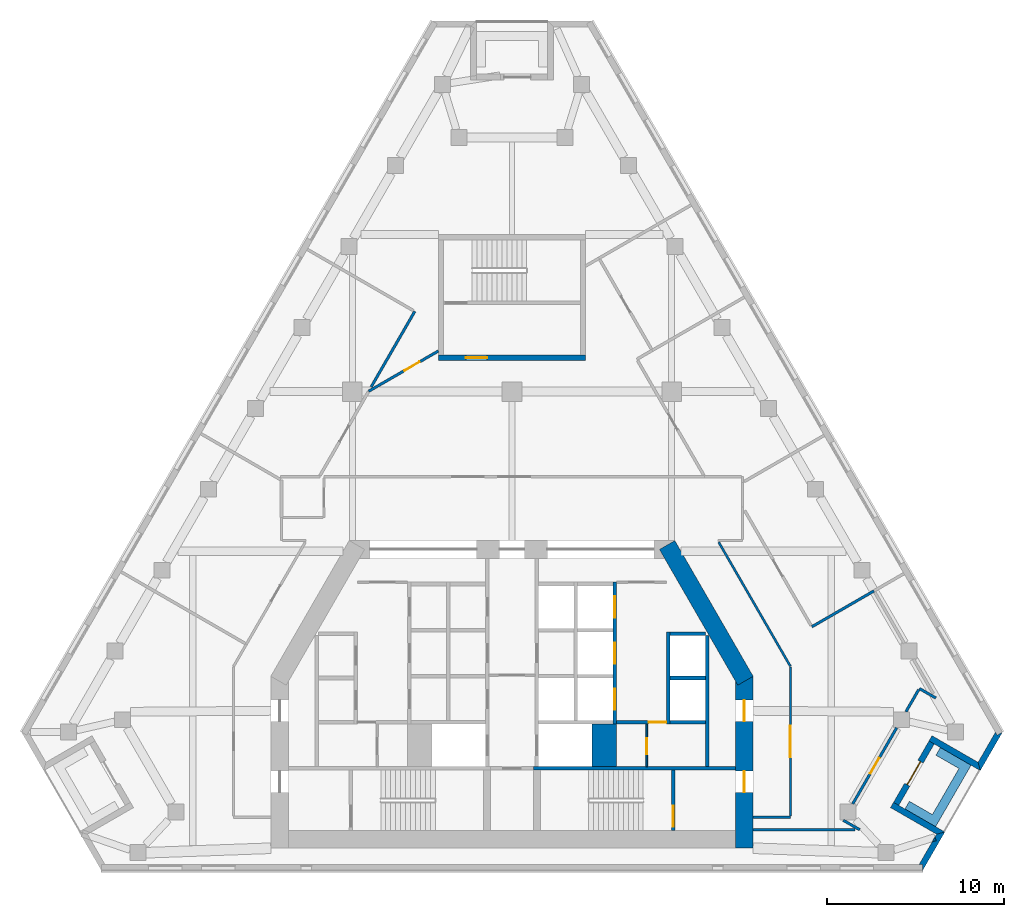
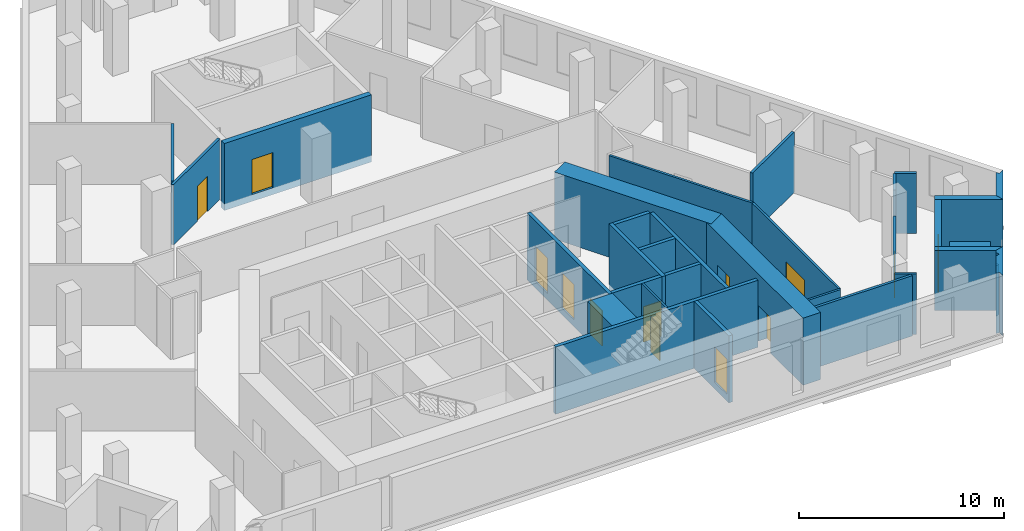
# One storey, part 6 of 9: 32 walls, 13 doors, 13 openings.
"""IFC4 building model written with IfcOpenShell, lengths in metres."""

from ifc_helpers import new_model, si_unit, direction, frame, frame_2d, origin, place, context, subcontext, project, spatial, polyline, rectangle, outline, extrude, material, layer, layer_set, type_object, element, fill, save


model = new_model("IFC4")

# Units and contexts
model_context = context("Model", 3, precision=1e-05, world=origin(), true_north=direction((0.0, 1.0)))
body_context = subcontext(model_context, "Body", "Model", "MODEL_VIEW")
ifc_project = project(units=[si_unit("LENGTHUNIT", "METRE"), si_unit("AREAUNIT", "SQUARE_METRE"), si_unit("VOLUMEUNIT", "CUBIC_METRE"), si_unit("PLANEANGLEUNIT", "RADIAN"), si_unit("MASSUNIT", "GRAM", prefix="KILO")], contexts=[model_context])

# Site, building, storey
site_placement = place(None, origin())
site = spatial("IfcSite", under=ifc_project, at=site_placement, CompositionType="ELEMENT")
building_placement = place(site_placement, origin())
building = spatial("IfcBuilding", under=site, at=building_placement, Name="Fogline Exchange Tower", CompositionType="ELEMENT")
storey_placement = place(building_placement, frame((0.0, 0.0, 194.10009765625)))
storey = spatial("IfcBuildingStorey", under=building, at=storey_placement, Name="L43", CompositionType="ELEMENT", Elevation=194.10009765625)

# Wall, opening, door
ifc_material_1 = material(Name="Blockwork partition", Category="masonry")
ifc_layer_1 = layer(ifc_material_1, 0.10009765625)
ifc_layer_set_1 = layer_set([ifc_layer_1], Name="CW10")
wall_type_1 = type_object("IfcWallType", Name="CW10", PredefinedType="PARTITIONING", material=ifc_layer_set_1)
wall_1_placement = place(storey_placement, frame((7.60009765625, 5.85009765625, 0.0), z_axis=(0.0, 0.0, 1.0), x_axis=(0.0, 1.0, 0.0)))
wall_1 = element("IfcWall", 1, at=wall_1_placement, inside=storey, type_object=wall_type_1, Name="WC partition", PredefinedType="PARTITIONING", context=body_context, shape_type="SweptSolid", body=[
    extrude(rectangle(XDim=2.39990234375, YDim=0.10009765625, at=frame_2d((1.199951171875, 0.0))), origin(), (0.0, 0.0, 1.0), 3.599853515625),
])
opening_1_placement = place(wall_1_placement, frame((0.699951171875, 0.0, 0.0)))
opening_1 = element("IfcOpeningElement", 2, at=opening_1_placement, cuts=wall_1, Name="Opening T14-C019", PredefinedType="OPENING", context=body_context, shape_type="SweptSolid", body=[
    extrude(rectangle(XDim=0.89990234375, YDim=2.10009765625, at=frame_2d((0.449951171875, 1.050048828125))), frame((0.0, 0.06005859375, 0.0), z_axis=(0.0, -1.0, 0.0), x_axis=(1.0, 0.0, 0.0)), (0.0, 0.0, 1.0), 0.1201171875),
])
ifc_material_2 = material(Name="Steel and timber fire door", Category="steel")
door_type_1 = type_object("IfcDoorType", Name="D-CS1", OperationType="SINGLE_SWING_RIGHT", PredefinedType="DOOR", material=ifc_material_2)
door_1_placement = place(opening_1_placement, origin())
door_1 = element("IfcDoor", 3, at=door_1_placement, inside=storey, type_object=door_type_1, Name="Door to Cleaner's Store", OperationType="SINGLE_SWING_LEFT", OverallHeight=2.10009765625, OverallWidth=0.89990234375, PredefinedType="DOOR", context=body_context, shape_type="SweptSolid", body=[
    extrude(rectangle(XDim=0.89990234375, YDim=2.10009765625, at=frame_2d((0.449951171875, 1.050048828125))), frame((0.0, 0.02490234375, 0.0), z_axis=(0.0, -1.0, 0.0), x_axis=(1.0, 0.0, 0.0)), (0.0, 0.0, 1.0), 0.050048828125),
])
fill(opening_1, door_1)

# Walls
ifc_material_3 = material(Name="Concrete C60", Category="concrete")
ifc_layer_2 = layer(ifc_material_3, 1.39990234375)
ifc_layer_set_2 = layer_set([ifc_layer_2], Name="CW140")
wall_type_2 = type_object("IfcWallType", Name="CW140", PredefinedType="SOLIDWALL", material=ifc_layer_set_2)
wall_2_placement = place(storey_placement, frame((5.199951171875, 5.85009765625, -0.400146484375), z_axis=(0.0, 0.0, 1.0), x_axis=(0.0, 1.0, 0.0)))
element("IfcWall", 4, at=wall_2_placement, inside=storey, type_object=wall_type_2, Name="Lift shaft block wall", PredefinedType="SOLIDWALL", context=body_context, shape_type="SweptSolid", body=[
    extrude(rectangle(XDim=2.39990234375, YDim=1.39990234375, at=frame_2d((1.199951171875, 0.0))), origin(), (0.0, 0.0, 1.0), 4.0),
])
ifc_material_4 = material(Name="Concrete C40", Category="concrete")
ifc_layer_3 = layer(ifc_material_4, 0.199951171875)
ifc_layer_set_3 = layer_set([ifc_layer_3], Name="CW20")
wall_type_3 = type_object("IfcWallType", Name="CW20", PredefinedType="SOLIDWALL", material=ifc_layer_set_3)
wall_3_placement = place(storey_placement, frame((11.0, 5.85009765625, 0.0), z_axis=(0.0, 0.0, 1.0), x_axis=(0.0, 1.0, 0.0)))
element("IfcWall", 5, at=wall_3_placement, inside=storey, type_object=wall_type_3, Name="Service room wall", PredefinedType="SOLIDWALL", context=body_context, shape_type="SweptSolid", body=[
    extrude(rectangle(XDim=7.39990234375, YDim=0.199951171875, at=frame_2d((3.699951171875, 0.0))), origin(), (0.0, 0.0, 1.0), 3.599853515625),
])

# Wall, opening, door
wall_4_placement = place(storey_placement, frame((5.89990234375, 8.35009765625, 0.0), z_axis=(0.0, 0.0, 1.0), x_axis=(1.0, 0.0, 0.0)))
wall_4 = element("IfcWall", 6, at=wall_4_placement, inside=storey, type_object=wall_type_3, Name="WC wall", PredefinedType="SOLIDWALL", context=body_context, shape_type="SweptSolid", body=[
    extrude(rectangle(XDim=2.800048828125, YDim=0.199951171875, at=frame_2d((1.39990234375, 0.0))), origin(), (0.0, 0.0, 1.0), 3.599853515625),
])
opening_2_placement = place(wall_4_placement, frame((1.800048828125, 0.0, 0.0)))
opening_2 = element("IfcOpeningElement", 7, at=opening_2_placement, cuts=wall_4, Name="Opening T14-C018", PredefinedType="OPENING", context=body_context, shape_type="SweptSolid", body=[
    extrude(rectangle(XDim=1.0, YDim=2.10009765625, at=frame_2d((0.5, 1.050048828125))), frame((0.0, 0.10986328125, 0.0), z_axis=(0.0, -1.0, 0.0), x_axis=(1.0, 0.0, 0.0)), (0.0, 0.0, 1.0), 0.219970703125),
])
door_type_2 = type_object("IfcDoorType", Name="D-WC1", OperationType="SINGLE_SWING_LEFT", PredefinedType="DOOR", material=ifc_material_2)
door_2_placement = place(opening_2_placement, frame((1.0, 0.0, 0.0), z_axis=(0.0, 0.0, 1.0), x_axis=(-1.0, 0.0, 0.0)))
door_2 = element("IfcDoor", 8, at=door_2_placement, inside=storey, type_object=door_type_2, Name="Door to Women's WC", OperationType="SINGLE_SWING_LEFT", OverallHeight=2.10009765625, OverallWidth=1.0, PredefinedType="DOOR", context=body_context, shape_type="SweptSolid", body=[
    extrude(rectangle(XDim=1.0, YDim=2.10009765625, at=frame_2d((0.5, 1.050048828125))), frame((0.0, 0.02490234375, 0.0), z_axis=(0.0, -1.0, 0.0), x_axis=(1.0, 0.0, 0.0)), (0.0, 0.0, 1.0), 0.050048828125),
])
fill(opening_2, door_2)

# Wall
ifc_layer_4 = layer(ifc_material_4, 0.199951171875)
ifc_layer_set_4 = layer_set([ifc_layer_4], Name="CW20R")
wall_type_4 = type_object("IfcWallType", Name="CW20R", PredefinedType="SOLIDWALL", material=ifc_layer_set_4)
wall_5_placement = place(storey_placement, frame((1.199951171875, 5.75, -0.400146484375), z_axis=(0.0, 0.0, 1.0), x_axis=(1.0, 0.0, 0.0)))
element("IfcWall", 9, at=wall_5_placement, inside=storey, type_object=wall_type_4, Name="Stair enclosure wall", PredefinedType="SOLIDWALL", context=body_context, shape_type="SweptSolid", body=[
    extrude(rectangle(XDim=11.400146484375, YDim=0.199951171875, at=frame_2d((5.7001953125, 0.0))), origin(), (0.0, 0.0, 1.0), 4.0),
])

# Wall, opening, door
wall_6_placement = place(storey_placement, frame((9.10009765625, 2.25, -0.400146484375), z_axis=(0.0, 0.0, 1.0), x_axis=(0.0, 1.0, 0.0)))
wall_6 = element("IfcWall", 10, at=wall_6_placement, inside=storey, type_object=wall_type_4, Name="Stair enclosure wall", PredefinedType="SOLIDWALL", context=body_context, shape_type="SweptSolid", body=[
    extrude(rectangle(XDim=3.39990234375, YDim=0.199951171875, at=frame_2d((1.699951171875, 0.0))), origin(), (0.0, 0.0, 1.0), 4.0),
])
opening_3_placement = place(wall_6_placement, frame((0.199951171875, 0.0, 0.39990234375)))
opening_3 = element("IfcOpeningElement", 11, at=opening_3_placement, cuts=wall_6, Name="Opening T14-C021", PredefinedType="OPENING", context=body_context, shape_type="SweptSolid", body=[
    extrude(rectangle(XDim=1.199951171875, YDim=2.10009765625, at=frame_2d((0.60009765625, 1.050048828125))), frame((0.0, 0.10986328125, 0.0), z_axis=(0.0, -1.0, 0.0), x_axis=(1.0, 0.0, 0.0)), (0.0, 0.0, 1.0), 0.219970703125),
])
door_type_3 = type_object("IfcDoorType", Name="D-ST1", OperationType="SINGLE_SWING_LEFT", PredefinedType="DOOR", material=ifc_material_2)
door_3_placement = place(opening_3_placement, origin())
door_3 = element("IfcDoor", 12, at=door_3_placement, inside=storey, type_object=door_type_3, Name="Stair door ST2", OperationType="SINGLE_SWING_LEFT", OverallHeight=2.10009765625, OverallWidth=1.199951171875, PredefinedType="DOOR", context=body_context, shape_type="SweptSolid", body=[
    extrude(rectangle(XDim=1.199951171875, YDim=2.10009765625, at=frame_2d((0.60009765625, 1.050048828125))), frame((0.0, 0.02490234375, 0.0), z_axis=(0.0, -1.0, 0.0), x_axis=(1.0, 0.0, 0.0)), (0.0, 0.0, 1.0), 0.050048828125),
])
fill(opening_3, door_3)

# Wall
ifc_layer_5 = layer(ifc_material_4, 0.199951171875)
ifc_layer_set_5 = layer_set([ifc_layer_5], Name="CW20S")
wall_type_5 = type_object("IfcWallType", Name="CW20S", PredefinedType="SOLIDWALL", material=ifc_layer_set_5)
wall_7_placement = place(storey_placement, frame((8.800048828125, 8.25, -0.400146484375), z_axis=(0.0, 0.0, 1.0), x_axis=(0.0, 1.0, 0.0)))
element("IfcWall", 13, at=wall_7_placement, inside=storey, type_object=wall_type_5, Name="Lift shaft wall", PredefinedType="SOLIDWALL", context=body_context, shape_type="SweptSolid", body=[
    extrude(rectangle(XDim=5.199951171875, YDim=0.199951171875, at=frame_2d((2.60009765625, 0.0))), origin(), (0.0, 0.0, 1.0), 4.0),
])

# Wall, openings, doors
wall_8_placement = place(storey_placement, frame((5.800048828125, 8.25, -0.400146484375), z_axis=(0.0, 0.0, 1.0), x_axis=(0.0, 1.0, 0.0)))
wall_8 = element("IfcWall", 14, at=wall_8_placement, inside=storey, type_object=wall_type_5, Name="Lift shaft wall", PredefinedType="SOLIDWALL", context=body_context, shape_type="SweptSolid", body=[
    extrude(rectangle(XDim=8.0, YDim=0.199951171875, at=frame_2d((4.0, 0.0))), origin(), (0.0, 0.0, 1.0), 4.0),
])
opening_4_placement = place(wall_8_placement, frame((0.800048828125, 0.0, 0.39990234375)))
opening_4 = element("IfcOpeningElement", 15, at=opening_4_placement, cuts=wall_8, Name="Opening T14-LD02", PredefinedType="OPENING", context=body_context, shape_type="SweptSolid", body=[
    extrude(rectangle(XDim=1.199951171875, YDim=2.10009765625, at=frame_2d((0.60009765625, 1.050048828125))), frame((0.0, 0.10986328125, 0.0), z_axis=(0.0, -1.0, 0.0), x_axis=(1.0, 0.0, 0.0)), (0.0, 0.0, 1.0), 0.219970703125),
])
opening_5_placement = place(wall_8_placement, frame((3.39990234375, 0.0, 0.39990234375)))
opening_5 = element("IfcOpeningElement", 16, at=opening_5_placement, cuts=wall_8, Name="Opening T14-LD03", PredefinedType="OPENING", context=body_context, shape_type="SweptSolid", body=[
    extrude(rectangle(XDim=1.199951171875, YDim=2.10009765625, at=frame_2d((0.60009765625, 1.050048828125))), frame((0.0, 0.10986328125, 0.0), z_axis=(0.0, -1.0, 0.0), x_axis=(1.0, 0.0, 0.0)), (0.0, 0.0, 1.0), 0.219970703125),
])
opening_6_placement = place(wall_8_placement, frame((6.0, 0.0, 0.39990234375)))
opening_6 = element("IfcOpeningElement", 17, at=opening_6_placement, cuts=wall_8, Name="Opening T14-LD04", PredefinedType="OPENING", context=body_context, shape_type="SweptSolid", body=[
    extrude(rectangle(XDim=1.199951171875, YDim=2.10009765625, at=frame_2d((0.60009765625, 1.050048828125))), frame((0.0, 0.10986328125, 0.0), z_axis=(0.0, -1.0, 0.0), x_axis=(1.0, 0.0, 0.0)), (0.0, 0.0, 1.0), 0.219970703125),
])
door_type_4 = type_object("IfcDoorType", Name="LD1", OperationType="SLIDING_TO_LEFT", PredefinedType="DOOR", material=ifc_material_2)
door_4_placement = place(opening_4_placement, origin())
door_4 = element("IfcDoor", 18, at=door_4_placement, inside=storey, type_object=door_type_4, Name="Landing door MR1", OperationType="SLIDING_TO_LEFT", OverallHeight=2.10009765625, OverallWidth=1.199951171875, PredefinedType="DOOR", context=body_context, shape_type="SweptSolid", body=[
    extrude(rectangle(XDim=1.199951171875, YDim=2.10009765625, at=frame_2d((0.60009765625, 1.050048828125))), frame((0.0, 0.02490234375, 0.0), z_axis=(0.0, -1.0, 0.0), x_axis=(1.0, 0.0, 0.0)), (0.0, 0.0, 1.0), 0.050048828125),
])
fill(opening_4, door_4)
door_5_placement = place(opening_5_placement, origin())
door_5 = element("IfcDoor", 19, at=door_5_placement, inside=storey, type_object=door_type_4, Name="Landing door MR2", OperationType="SLIDING_TO_LEFT", OverallHeight=2.10009765625, OverallWidth=1.199951171875, PredefinedType="DOOR", context=body_context, shape_type="SweptSolid", body=[
    extrude(rectangle(XDim=1.199951171875, YDim=2.10009765625, at=frame_2d((0.60009765625, 1.050048828125))), frame((0.0, 0.02490234375, 0.0), z_axis=(0.0, -1.0, 0.0), x_axis=(1.0, 0.0, 0.0)), (0.0, 0.0, 1.0), 0.050048828125),
])
fill(opening_5, door_5)
door_6_placement = place(opening_6_placement, origin())
door_6 = element("IfcDoor", 20, at=door_6_placement, inside=storey, type_object=door_type_4, Name="Landing door MR3", OperationType="SLIDING_TO_LEFT", OverallHeight=2.10009765625, OverallWidth=1.199951171875, PredefinedType="DOOR", context=body_context, shape_type="SweptSolid", body=[
    extrude(rectangle(XDim=1.199951171875, YDim=2.10009765625, at=frame_2d((0.60009765625, 1.050048828125))), frame((0.0, 0.02490234375, 0.0), z_axis=(0.0, -1.0, 0.0), x_axis=(1.0, 0.0, 0.0)), (0.0, 0.0, 1.0), 0.050048828125),
])
fill(opening_6, door_6)

# Walls
for number, where, z_axis, x_axis, name in (
    (21, (8.89990234375, 8.35009765625, -0.400146484375), (0.0, 0.0, 1.0), (1.0, 0.0, 0.0), "Lift shaft wall"),
    (22, (8.89990234375, 10.85009765625, -0.400146484375), (0.0, 0.0, 1.0), (1.0, 0.0, 0.0), "Lift shaft wall"),
    (23, (8.89990234375, 13.35009765625, -0.400146484375), (0.0, 0.0, 1.0), (1.0, 0.0, 0.0), "Lift shaft wall"),
):
    element("IfcWall", number, at=place(storey_placement, frame(where, z_axis=z_axis, x_axis=x_axis)), inside=storey, type_object=wall_type_5, Name=name, PredefinedType="SOLIDWALL", context=body_context, shape_type="SweptSolid", body=[
        extrude(rectangle(XDim=2.0, YDim=0.199951171875, at=frame_2d((1.0, 0.0))), origin(), (0.0, 0.0, 1.0), 4.0),
    ])

# Wall, opening, door
ifc_layer_6 = layer(ifc_material_4, 0.300048828125)
ifc_layer_set_6 = layer_set([ifc_layer_6], Name="CW30")
wall_type_6 = type_object("IfcWallType", Name="CW30", PredefinedType="SOLIDWALL", material=ifc_layer_set_6)
wall_9_placement = place(storey_placement, frame((-4.14990234375, 28.906982421875, -0.400146484375), z_axis=(0.0, 0.0, 1.0), x_axis=(1.0, 0.0, 0.0)))
wall_9 = element("IfcWall", 24, at=wall_9_placement, inside=storey, type_object=wall_type_6, Name="Stair enclosure wall ST3", PredefinedType="SOLIDWALL", context=body_context, shape_type="SweptSolid", body=[
    extrude(rectangle(XDim=8.2998046875, YDim=0.300048828125, at=frame_2d((4.14990234375, 0.0))), origin(), (0.0, 0.0, 1.0), 4.0),
])
opening_7_placement = place(wall_9_placement, frame((1.550048828125, 0.0, 0.39990234375)))
opening_7 = element("IfcOpeningElement", 25, at=opening_7_placement, cuts=wall_9, Name="Opening T14-C027", PredefinedType="OPENING", context=body_context, shape_type="SweptSolid", body=[
    extrude(rectangle(XDim=1.199951171875, YDim=2.10009765625, at=frame_2d((0.60009765625, 1.050048828125))), frame((0.0, 0.16015625, 0.0), z_axis=(0.0, -1.0, 0.0), x_axis=(1.0, 0.0, 0.0)), (0.0, 0.0, 1.0), 0.320068359375),
])
door_type_5 = type_object("IfcDoorType", Name="D-FR1", OperationType="SINGLE_SWING_RIGHT", PredefinedType="DOOR", material=ifc_material_2)
door_7_placement = place(opening_7_placement, origin())
door_7 = element("IfcDoor", 26, at=door_7_placement, inside=storey, type_object=door_type_5, Name="Front room door ST3", OperationType="SINGLE_SWING_LEFT", OverallHeight=2.10009765625, OverallWidth=1.199951171875, PredefinedType="DOOR", context=body_context, shape_type="SweptSolid", body=[
    extrude(rectangle(XDim=1.199951171875, YDim=2.10009765625, at=frame_2d((0.60009765625, 1.050048828125))), frame((0.0, 0.02490234375, 0.0), z_axis=(0.0, -1.0, 0.0), x_axis=(1.0, 0.0, 0.0)), (0.0, 0.0, 1.0), 0.050048828125),
])
fill(opening_7, door_7)

# Walls
ifc_material_5 = material(Name="Brick masonry", Category="masonry")
ifc_layer_7 = layer(ifc_material_5, 0.340087890625)
ifc_layer_set_7 = layer_set([ifc_layer_7], Name="FW1")
wall_type_7 = type_object("IfcWallType", Name="FW1", PredefinedType="SOLIDWALL", material=ifc_layer_set_7)
wall_10_placement = place(storey_placement, origin())
element("IfcWall", 27, at=wall_10_placement, inside=storey, type_object=wall_type_7, Name="Brick wall L43 SE-c1", PredefinedType="SOLIDWALL", context=body_context, shape_type="SweptSolid", body=[
    extrude(outline(polyline([(23.850341796875, 1.87890625), (23.912109375, 1.68408203125), (23.698974609375, 1.616455078125), (23.850341796875, 1.87890625)])), origin(), (0.0, 0.0, 1.0), 3.0),
])
wall_11_placement = place(storey_placement, origin())
element("IfcWall", 28, at=wall_11_placement, inside=storey, type_object=wall_type_7, Name="Brick wall L43 SE-c1", PredefinedType="SOLIDWALL", context=body_context, shape_type="SweptSolid", body=[
    extrude(outline(polyline([(23.158935546875, -0.001220703125), (23.158203125, -0.0009765625), (23.158203125, 0.33935546875), (22.961669921875, 0.33935546875), (23.698974609375, 1.616455078125), (23.912109375, 1.68408203125), (23.850341796875, 1.87890625), (23.944091796875, 2.041015625), (24.40966796875, 2.166015625), (24.409912109375, 2.165771484375), (23.158935546875, -0.001220703125)])), origin(), (0.0, 0.0, 1.0), 3.599853515625),
])
wall_12_placement = place(storey_placement, origin())
element("IfcWall", 29, at=wall_12_placement, inside=storey, type_object=wall_type_7, Name="Brick wall L43 SE-s1", PredefinedType="SOLIDWALL", context=body_context, shape_type="SweptSolid", body=[
    extrude(outline(polyline([(21.345458984375, 3.540283203125), (21.51611328125, 3.8359375), (21.81103515625, 3.66552734375), (24.41015625, 2.1650390625), (24.41015625, 2.164794921875), (23.9443359375, 2.0400390625), (21.345458984375, 3.540283203125)])), origin(), (0.0, 0.0, 1.0), 3.599853515625),
])

# Wall, opening, door
wall_13_placement = place(storey_placement, frame((21.66357421875, 3.75, 0.0), z_axis=(0.0, 0.0, 1.0), x_axis=(0.49999894854, 0.866026010844, 0.0)))
wall_13 = element("IfcWall", 30, at=wall_13_placement, inside=storey, type_object=wall_type_7, Name="Brick wall L43 SE-bk", PredefinedType="SOLIDWALL", context=body_context, shape_type="SweptSolid", body=[
    extrude(rectangle(XDim=4.0, YDim=0.340087890625, at=frame_2d((2.0, 0.0))), origin(), (0.0, 0.0, 1.0), 3.599853515625),
])
opening_8_placement = place(wall_13_placement, frame((1.25, 0.0, 0.0)))
opening_8 = element("IfcOpeningElement", 31, at=opening_8_placement, cuts=wall_13, Name="Opening T14-E081", PredefinedType="OPENING", context=body_context, shape_type="SweptSolid", body=[
    extrude(rectangle(XDim=1.5, YDim=2.39990234375, at=frame_2d((0.75, 1.199951171875))), frame((0.0, 0.18017578125, 0.0), z_axis=(0.0, -1.0, 0.0), x_axis=(1.0, 0.0, 0.0)), (0.0, 0.0, 1.0), 0.360107421875),
])
ifc_material_6 = material(Name="Aluminium and glass", Category="aluminium")
door_type_6 = type_object("IfcDoorType", Name="ED4", OperationType="SINGLE_SWING_LEFT", PredefinedType="DOOR", material=ifc_material_6)
door_8_placement = place(opening_8_placement, frame((1.5, 0.0, 0.0), z_axis=(0.0, 0.0, 1.0), x_axis=(-1.0, 0.0, 0.0)))
door_8 = element("IfcDoor", 32, at=door_8_placement, inside=storey, type_object=door_type_6, Name="Balcony door L43 SE", OperationType="DOUBLE_DOOR_SINGLE_SWING", OverallHeight=2.39990234375, OverallWidth=1.5, PredefinedType="DOOR", context=body_context, shape_type="SweptSolid", body=[
    extrude(rectangle(XDim=1.5, YDim=2.39990234375, at=frame_2d((0.75, 1.199951171875))), frame((0.0, 0.02490234375, 0.0), z_axis=(0.0, -1.0, 0.0), x_axis=(1.0, 0.0, 0.0)), (0.0, 0.0, 1.0), 0.050048828125),
])
fill(opening_8, door_8)

# Walls
wall_14_placement = place(storey_placement, origin())
element("IfcWall", 33, at=wall_14_placement, inside=storey, type_object=wall_type_7, Name="Brick wall L43 SE-s2", PredefinedType="SOLIDWALL", context=body_context, shape_type="SweptSolid", body=[
    extrude(outline(polyline([(26.409423828125, 5.628173828125), (23.810546875, 7.128662109375), (23.515625, 7.298828125), (23.686279296875, 7.594482421875), (26.284912109375, 6.093994140625), (26.40966796875, 5.62841796875), (26.409423828125, 5.628173828125)])), origin(), (0.0, 0.0, 1.0), 3.599853515625),
])
wall_15_placement = place(storey_placement, origin())
element("IfcWall", 34, at=wall_15_placement, inside=storey, type_object=wall_type_7, Name="Brick wall L43 SE-c2", PredefinedType="SOLIDWALL", context=body_context, shape_type="SweptSolid", body=[
    extrude(outline(polyline([(27.266357421875, 7.79541015625), (27.36474609375, 7.625), (27.65966796875, 7.79541015625), (27.659912109375, 7.794921875), (26.408935546875, 5.6279296875), (26.40869140625, 5.6279296875), (26.283935546875, 6.09375), (27.266357421875, 7.79541015625)])), origin(), (0.0, 0.0, 1.0), 3.599853515625),
])
ifc_material_7 = material(Name="Concrete C30", Category="concrete")
ifc_layer_8 = layer(ifc_material_7, 0.199951171875)
ifc_layer_set_8 = layer_set([ifc_layer_8], Name="PL1")
wall_type_8 = type_object("IfcWallType", Name="PL1", PredefinedType="USERDEFINED", material=ifc_layer_set_8)
wall_16_placement = place(storey_placement, origin())
element("IfcWall", 35, at=wall_16_placement, inside=storey, type_object=wall_type_8, Name="PLANTER balcony L43 SE", ObjectType="PLANTER", PredefinedType="USERDEFINED", context=body_context, shape_type="SweptSolid", body=[
    extrude(outline(polyline([(22.1572265625, 3.465087890625), (23.456298828125, 2.715087890625), (23.456298828125, 2.715087890625), (23.889404296875, 2.465087890625), (25.639404296875, 5.49609375), (25.889404296875, 5.92919921875), (24.1572265625, 6.92919921875), (23.9072265625, 6.49609375), (25.206298828125, 5.74609375), (23.706298828125, 3.148193359375), (22.4072265625, 3.898193359375), (22.1572265625, 3.465087890625)])), origin(), (0.0, 0.0, 1.0), 1.099853515625),
])
ifc_material_8 = material(Name="Plasterboard corridor partition with mineral wool, 2 layers each side")
ifc_layer_9 = layer(ifc_material_8, 0.125)
ifc_layer_set_9 = layer_set([ifc_layer_9], Name="PW2")
wall_type_9 = type_object("IfcWallType", Name="PW2", PredefinedType="PARTITIONING", material=ifc_layer_set_9)
wall_17_placement = place(storey_placement, frame((11.659912109375, 18.505859375, 0.0), z_axis=(0.0, 0.0, 1.0), x_axis=(0.499986612749, -0.866033132779, 0.0)))
element("IfcWall", 36, at=wall_17_placement, inside=storey, type_object=wall_type_9, Name="wall-L43-W001", PredefinedType="PARTITIONING", context=body_context, shape_type="SweptSolid", body=[
    extrude(rectangle(XDim=8.080322265625, YDim=0.125, at=frame_2d((4.0400390625, 0.0))), origin(), (0.0, 0.0, 1.0), 3.599853515625),
])

# Wall, opening, door
wall_18_placement = place(storey_placement, frame((15.699951171875, 11.47705078125, 0.0), z_axis=(0.0, 0.0, 1.0), x_axis=(0.0, -1.0, 0.0)))
wall_18 = element("IfcWall", 37, at=wall_18_placement, inside=storey, type_object=wall_type_9, Name="wall-L43-W002", PredefinedType="PARTITIONING", context=body_context, shape_type="SweptSolid", body=[
    extrude(rectangle(XDim=8.41455078125, YDim=0.125, at=frame_2d((4.207275390625, 0.0))), origin(), (0.0, 0.0, 1.0), 3.599853515625),
])
opening_9_placement = place(wall_18_placement, frame((3.307373046875, 0.0, 0.0)))
opening_9 = element("IfcOpeningElement", 38, at=opening_9_placement, cuts=wall_18, Name="Opening T14-D001", PredefinedType="OPENING", context=body_context, shape_type="SweptSolid", body=[
    extrude(rectangle(XDim=1.800048828125, YDim=2.10009765625, at=frame_2d((0.89990234375, 1.050048828125))), frame((0.0, 0.072509765625, 0.0), z_axis=(0.0, -1.0, 0.0), x_axis=(1.0, 0.0, 0.0)), (0.0, 0.0, 1.0), 0.14501953125),
])
ifc_material_9 = material(Name="Fire-rated timber door leaves with steel frame", Category="steel")
door_type_7 = type_object("IfcDoorType", Name="D4", OperationType="DOUBLE_DOOR_SINGLE_SWING", PredefinedType="DOOR", material=ifc_material_9)
door_9_placement = place(opening_9_placement, frame((1.800048828125, 0.0, 0.0), z_axis=(0.0, 0.0, 1.0), x_axis=(-1.0, 0.0, 0.0)))
door_9 = element("IfcDoor", 39, at=door_9_placement, inside=storey, type_object=door_type_7, Name="door-L43-D001", OperationType="DOUBLE_DOOR_SINGLE_SWING", OverallHeight=2.10009765625, OverallWidth=1.800048828125, PredefinedType="DOOR", context=body_context, shape_type="SweptSolid", body=[
    extrude(rectangle(XDim=1.800048828125, YDim=2.10009765625, at=frame_2d((0.89990234375, 1.050048828125))), frame((0.0, 0.02490234375, 0.0), z_axis=(0.0, -1.0, 0.0), x_axis=(1.0, 0.0, 0.0)), (0.0, 0.0, 1.0), 0.050048828125),
])
fill(opening_9, door_9)

# Walls
wall_19_placement = place(storey_placement, frame((15.699951171875, 3.0, 0.0), z_axis=(0.0, 0.0, 1.0), x_axis=(-1.0, 0.0, 0.0)))
element("IfcWall", 40, at=wall_19_placement, inside=storey, type_object=wall_type_9, Name="wall-L43-W003", PredefinedType="PARTITIONING", context=body_context, shape_type="SweptSolid", body=[
    extrude(rectangle(XDim=2.099853515625, YDim=0.125, at=frame_2d((1.0498046875, 0.0))), origin(), (0.0, 0.0, 1.0), 3.599853515625),
])
ifc_material_10 = material(Name="Plasterboard demising partition with mineral wool and acoustic board")
ifc_layer_10 = layer(ifc_material_10, 0.14990234375)
ifc_layer_set_10 = layer_set([ifc_layer_10], Name="PW3")
wall_type_10 = type_object("IfcWallType", Name="PW3", PredefinedType="PARTITIONING", material=ifc_layer_set_10)
wall_20_placement = place(storey_placement, frame((20.414794921875, 15.761474609375, 0.0), z_axis=(0.0, 0.0, 1.0), x_axis=(-0.866046058097, -0.499964223975, 0.0)))
element("IfcWall", 41, at=wall_20_placement, inside=storey, type_object=wall_type_10, Name="wall-L43-W020", PredefinedType="PARTITIONING", context=body_context, shape_type="SweptSolid", body=[
    extrude(rectangle(XDim=4.050048828125, YDim=0.14990234375, at=frame_2d((2.02490234375, 0.0))), origin(), (0.0, 0.0, 1.0), 3.599853515625),
])

# Wall, opening, door
wall_21_placement = place(storey_placement, frame((-8.08251953125, 27.021484375, 0.0), z_axis=(0.0, 0.0, 1.0), x_axis=(0.866024429177, 0.500001688065, 0.0)))
wall_21 = element("IfcWall", 42, at=wall_21_placement, inside=storey, type_object=wall_type_10, Name="wall-L43-W028", PredefinedType="PARTITIONING", context=body_context, shape_type="SweptSolid", body=[
    extrude(rectangle(XDim=4.541015625, YDim=0.14990234375, at=frame_2d((2.2705078125, 0.0))), origin(), (0.0, 0.0, 1.0), 3.599853515625),
])
opening_10_placement = place(wall_21_placement, frame((2.323486328125, 0.0, 0.0)))
opening_10 = element("IfcOpeningElement", 43, at=opening_10_placement, cuts=wall_21, Name="Opening T14-D010", PredefinedType="OPENING", context=body_context, shape_type="SweptSolid", body=[
    extrude(rectangle(XDim=1.0, YDim=2.10009765625, at=frame_2d((0.5, 1.050048828125))), frame((0.0, 0.0849609375, 0.0), z_axis=(0.0, -1.0, 0.0), x_axis=(1.0, 0.0, 0.0)), (0.0, 0.0, 1.0), 0.169921875),
])
ifc_material_11 = material(Name="Fire-rated timber door leaf with steel frame", Category="steel")
door_type_8 = type_object("IfcDoorType", Name="D3", OperationType="SINGLE_SWING_LEFT", PredefinedType="DOOR", material=ifc_material_11)
door_10_placement = place(opening_10_placement, origin())
door_10 = element("IfcDoor", 44, at=door_10_placement, inside=storey, type_object=door_type_8, Name="door-L43-D010", OperationType="SINGLE_SWING_RIGHT", OverallHeight=2.10009765625, OverallWidth=1.0, PredefinedType="DOOR", context=body_context, shape_type="SweptSolid", body=[
    extrude(rectangle(XDim=1.0, YDim=2.10009765625, at=frame_2d((0.5, 1.050048828125))), frame((0.0, 0.02490234375, 0.0), z_axis=(0.0, -1.0, 0.0), x_axis=(1.0, 0.0, 0.0)), (0.0, 0.0, 1.0), 0.050048828125),
])
fill(opening_10, door_10)

# Walls
wall_22_placement = place(storey_placement, frame((-7.9423828125, 27.26416015625, 0.0), z_axis=(0.0, 0.0, 1.0), x_axis=(0.499973161126, 0.866040898661, 0.0)))
element("IfcWall", 45, at=wall_22_placement, inside=storey, type_object=wall_type_10, Name="wall-L43-W030", PredefinedType="PARTITIONING", context=body_context, shape_type="SweptSolid", body=[
    extrude(rectangle(XDim=4.917236328125, YDim=0.14990234375, at=frame_2d((2.45849609375, 0.0))), origin(), (0.0, 0.0, 1.0), 3.599853515625),
])
wall_23_placement = place(storey_placement, frame((13.60009765625, 2.2900390625, 0.0), z_axis=(0.0, 0.0, 1.0), x_axis=(1.0, 0.0, 0.0)))
element("IfcWall", 46, at=wall_23_placement, inside=storey, type_object=wall_type_10, Name="wall-L43-W036", PredefinedType="PARTITIONING", context=body_context, shape_type="SweptSolid", body=[
    extrude(rectangle(XDim=5.732177734375, YDim=0.14990234375, at=frame_2d((2.8662109375, 0.0))), origin(), (0.0, 0.0, 1.0), 3.599853515625),
])
wall_24_placement = place(storey_placement, frame((19.612548828125, 2.2900390625, 0.0), z_axis=(0.0, 0.0, 1.0), x_axis=(-0.866037924238, 0.499978313311, 0.0)))
element("IfcWall", 47, at=wall_24_placement, inside=storey, type_object=wall_type_10, Name="wall-L43-W037", PredefinedType="PARTITIONING", context=body_context, shape_type="SweptSolid", body=[
    extrude(rectangle(XDim=1.07373046875, YDim=0.14990234375, at=frame_2d((0.536865234375, 0.0))), origin(), (0.0, 0.0, 1.0), 3.599853515625),
])

# Wall, opening, door
wall_25_placement = place(storey_placement, frame((19.215087890625, 3.7490234375, 0.0), z_axis=(0.0, 0.0, 1.0), x_axis=(0.499976646485, 0.866038886523, 0.0)))
wall_25 = element("IfcWall", 48, at=wall_25_placement, inside=storey, type_object=wall_type_10, Name="wall-L43-W038", PredefinedType="PARTITIONING", context=body_context, shape_type="SweptSolid", body=[
    extrude(rectangle(XDim=4.960693359375, YDim=0.14990234375, at=frame_2d((2.48046875, 0.0))), origin(), (0.0, 0.0, 1.0), 2.7998046875),
])
opening_11_placement = place(wall_25_placement, frame((1.98046875, 0.0, 0.0)))
opening_11 = element("IfcOpeningElement", 49, at=opening_11_placement, cuts=wall_25, Name="Opening T14-D012", PredefinedType="OPENING", context=body_context, shape_type="SweptSolid", body=[
    extrude(rectangle(XDim=1.0, YDim=2.10009765625, at=frame_2d((0.5, 1.050048828125))), frame((0.0, 0.0849609375, 0.0), z_axis=(0.0, -1.0, 0.0), x_axis=(1.0, 0.0, 0.0)), (0.0, 0.0, 1.0), 0.169921875),
])
door_11_placement = place(opening_11_placement, frame((1.0, 0.0, 0.0), z_axis=(0.0, 0.0, 1.0), x_axis=(-1.0, 0.0, 0.0)))
door_11 = element("IfcDoor", 50, at=door_11_placement, inside=storey, type_object=door_type_8, Name="door-L43-D012", OperationType="SINGLE_SWING_LEFT", OverallHeight=2.10009765625, OverallWidth=1.0, PredefinedType="DOOR", context=body_context, shape_type="SweptSolid", body=[
    extrude(rectangle(XDim=1.0, YDim=2.10009765625, at=frame_2d((0.5, 1.050048828125))), frame((0.0, 0.02490234375, 0.0), z_axis=(0.0, -1.0, 0.0), x_axis=(1.0, 0.0, 0.0)), (0.0, 0.0, 1.0), 0.050048828125),
])
fill(opening_11, door_11)

# Walls
wall_26_placement = place(storey_placement, frame((22.215087890625, 8.9453125, 0.0), z_axis=(0.0, 0.0, 1.0), x_axis=(0.499986626058, 0.866033125095, 0.0)))
element("IfcWall", 51, at=wall_26_placement, inside=storey, type_object=wall_type_10, Name="wall-L43-W039", PredefinedType="PARTITIONING", context=body_context, shape_type="SweptSolid", body=[
    extrude(rectangle(XDim=1.43994140625, YDim=0.14990234375, at=frame_2d((0.719970703125, 0.0))), origin(), (0.0, 0.0, 1.0), 3.599853515625),
])
wall_27_placement = place(storey_placement, frame((22.97265625, 10.25732421875, 0.0), z_axis=(0.0, 0.0, 1.0), x_axis=(0.866037924238, -0.499978313311, 0.0)))
element("IfcWall", 52, at=wall_27_placement, inside=storey, type_object=wall_type_10, Name="wall-L43-W040", PredefinedType="PARTITIONING", context=body_context, shape_type="SweptSolid", body=[
    extrude(rectangle(XDim=1.07373046875, YDim=0.14990234375, at=frame_2d((0.536865234375, 0.0))), origin(), (0.0, 0.0, 1.0), 3.599853515625),
])

# Wall, openings, doors
ifc_layer_11 = layer(ifc_material_3, 1.0)
ifc_layer_set_11 = layer_set([ifc_layer_11], Name="SW03")
wall_type_11 = type_object("IfcWallType", Name="SW03", PredefinedType="SHEAR", material=ifc_layer_set_11)
wall_28_placement = place(storey_placement, frame((13.10009765625, 1.25, 0.0), z_axis=(0.0, 0.0, 1.0), x_axis=(0.0, 1.0, 0.0)))
wall_28 = element("IfcWall", 53, at=wall_28_placement, inside=storey, type_object=wall_type_11, Name="L43-W902", PredefinedType="SHEAR", context=body_context, shape_type="SweptSolid", body=[
    extrude(rectangle(XDim=9.6953125, YDim=1.0, at=frame_2d((4.84765625, 0.0))), origin(), (0.0, 0.0, 1.0), 4.0),
])
opening_12_placement = place(wall_28_placement, frame((3.14990234375, 0.0, 0.0)))
opening_12 = element("IfcOpeningElement", 54, at=opening_12_placement, cuts=wall_28, Name="Opening T14-C020", PredefinedType="OPENING", context=body_context, shape_type="SweptSolid", body=[
    extrude(rectangle(XDim=1.199951171875, YDim=2.10009765625, at=frame_2d((0.60009765625, 1.050048828125))), frame((0.0, 0.510009765625, 0.0), z_axis=(0.0, -1.0, 0.0), x_axis=(1.0, 0.0, 0.0)), (0.0, 0.0, 1.0), 1.02001953125),
])
opening_13_placement = place(wall_28_placement, frame((7.14990234375, 0.0, 0.0)))
opening_13 = element("IfcOpeningElement", 55, at=opening_13_placement, cuts=wall_28, Name="Opening T14-C022", PredefinedType="OPENING", context=body_context, shape_type="SweptSolid", body=[
    extrude(rectangle(XDim=1.199951171875, YDim=2.10009765625, at=frame_2d((0.60009765625, 1.050048828125))), frame((0.0, 0.510009765625, 0.0), z_axis=(0.0, -1.0, 0.0), x_axis=(1.0, 0.0, 0.0)), (0.0, 0.0, 1.0), 1.02001953125),
])
door_12_placement = place(opening_12_placement, origin())
door_12 = element("IfcDoor", 56, at=door_12_placement, inside=storey, type_object=door_type_5, Name="Front room door ST2", OperationType="SINGLE_SWING_RIGHT", OverallHeight=2.10009765625, OverallWidth=1.199951171875, PredefinedType="DOOR", context=body_context, shape_type="SweptSolid", body=[
    extrude(rectangle(XDim=1.199951171875, YDim=2.10009765625, at=frame_2d((0.60009765625, 1.050048828125))), frame((0.0, 0.02490234375, 0.0), z_axis=(0.0, -1.0, 0.0), x_axis=(1.0, 0.0, 0.0)), (0.0, 0.0, 1.0), 0.050048828125),
])
fill(opening_12, door_12)
door_type_9 = type_object("IfcDoorType", Name="D-SV1", OperationType="SINGLE_SWING_LEFT", PredefinedType="DOOR", material=ifc_material_2)
door_13_placement = place(opening_13_placement, origin())
door_13 = element("IfcDoor", 57, at=door_13_placement, inside=storey, type_object=door_type_9, Name="Service door E", OperationType="SINGLE_SWING_RIGHT", OverallHeight=2.10009765625, OverallWidth=1.199951171875, PredefinedType="DOOR", context=body_context, shape_type="SweptSolid", body=[
    extrude(rectangle(XDim=1.199951171875, YDim=2.10009765625, at=frame_2d((0.60009765625, 1.050048828125))), frame((0.0, 0.02490234375, 0.0), z_axis=(0.0, -1.0, 0.0), x_axis=(1.0, 0.0, 0.0)), (0.0, 0.0, 1.0), 0.050048828125),
])
fill(opening_13, door_13)

# Wall
wall_29_placement = place(storey_placement, frame((13.1669921875, 10.6953125, 0.0), z_axis=(0.0, 0.0, 1.0), x_axis=(-0.499995021168, 0.866028278295, 0.0)))
element("IfcWall", 58, at=wall_29_placement, inside=storey, type_object=wall_type_11, Name="L43-W903", PredefinedType="SHEAR", context=body_context, shape_type="SweptSolid", body=[
    extrude(rectangle(XDim=8.8388671875, YDim=1.0, at=frame_2d((4.41943359375, 0.0))), origin(), (0.0, 0.0, 1.0), 4.0),
])

save(model, "model.ifc")
